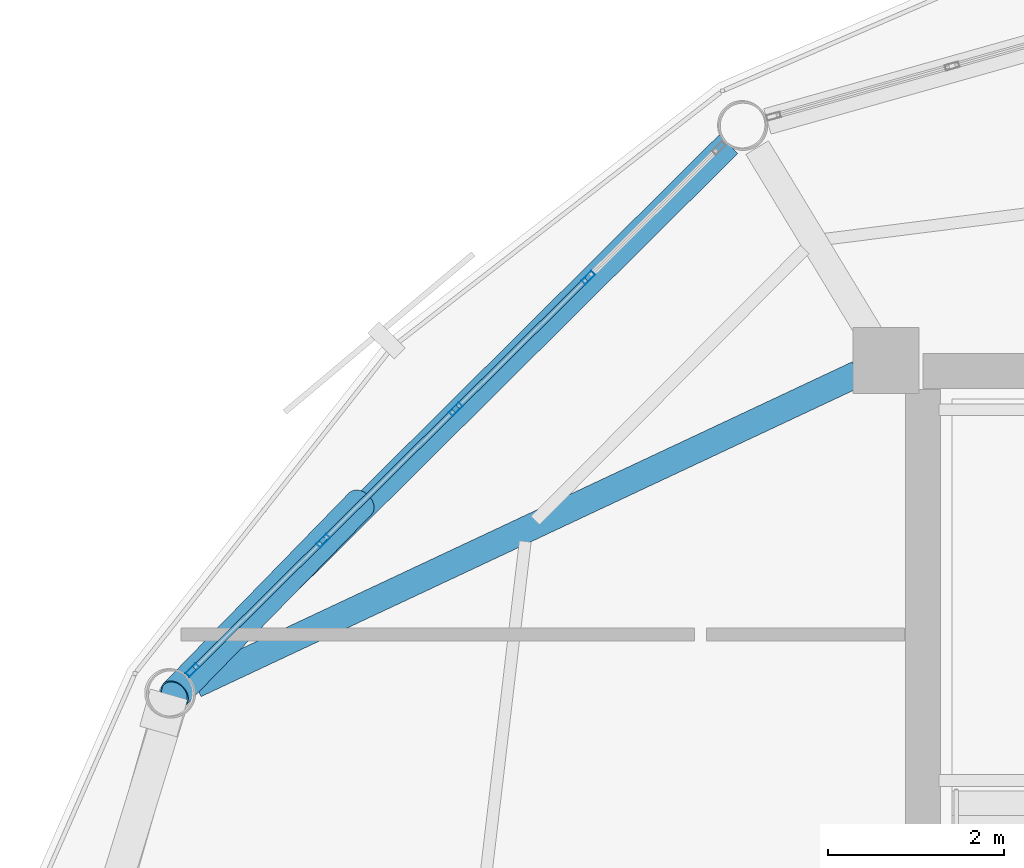
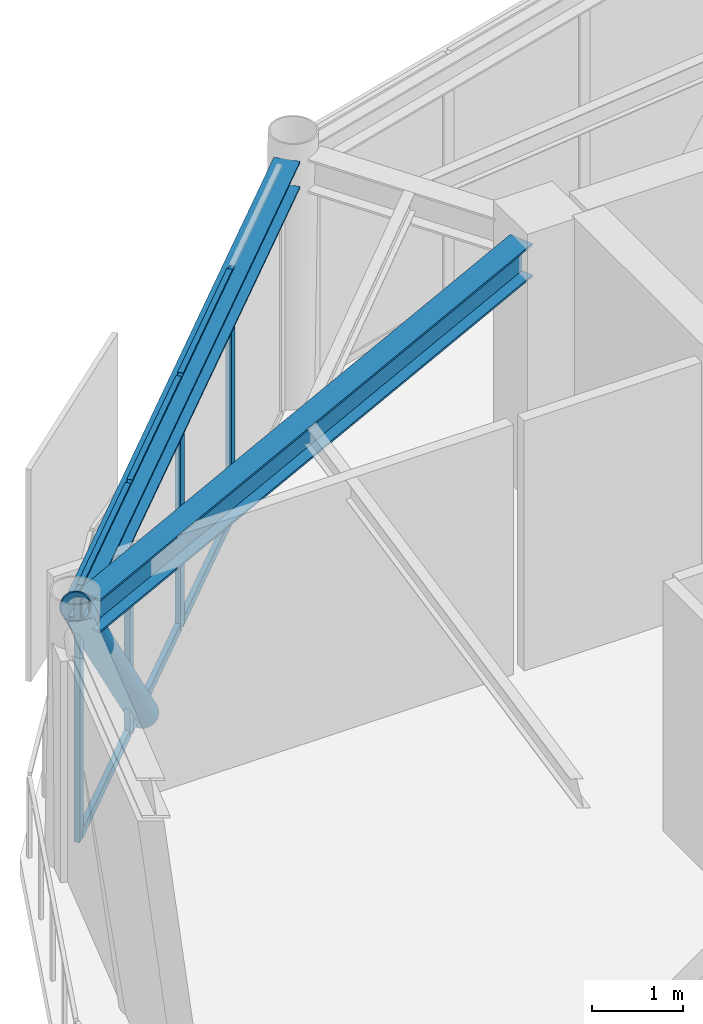
# One storey, part 11 of 25: 11 members, 2 beams, 1 element without a shape of its own.
"""IFC4 building model written with IfcOpenShell, lengths in metres."""

from ifc_helpers import new_model, si_unit, direction, frame, origin, origin_2d, place, context, subcontext, project, spatial, hollow_rectangle, hollow_circle, i_section, extrude, material, layer, layer_set, material_profile, profile_set, type_object, element, aggregate, save


model = new_model("IFC4")

# Units and contexts
model_context = context("Model", 3, precision=1e-05, world=origin(), true_north=direction((0.0, 1.0)))
body_context = subcontext(model_context, "Body", "Model", "MODEL_VIEW")
ifc_project = project(units=[si_unit("LENGTHUNIT", "METRE"), si_unit("AREAUNIT", "SQUARE_METRE"), si_unit("VOLUMEUNIT", "CUBIC_METRE"), si_unit("PLANEANGLEUNIT", "RADIAN"), si_unit("MASSUNIT", "GRAM", prefix="KILO")], contexts=[model_context])

# Site, building, storey
site_placement = place(None, origin())
site = spatial("IfcSite", under=ifc_project, at=site_placement, CompositionType="ELEMENT")
building_placement = place(site_placement, origin())
building = spatial("IfcBuilding", under=site, at=building_placement, Name="Varnakorn Sky Granary", CompositionType="ELEMENT")
storey_placement = place(building_placement, frame((0.0, 0.0, 277.800048828125)))
storey = spatial("IfcBuildingStorey", under=building, at=storey_placement, Name="L71", CompositionType="ELEMENT", Elevation=277.800048828125)

# Beams
ifc_material_1 = material(Name="Steel S355JR", Category="steel")
ifc_material_profile_1 = material_profile(ifc_material_1, i_section(OverallWidth=0.300048828125, OverallDepth=0.449951171875, WebThickness=0.013916015625, FlangeThickness=0.02587890625, at=origin_2d()), Name="HE 450 B")
ifc_profile_set_1 = profile_set([ifc_material_profile_1], Name="Steel S355JR")
beam_type_1 = type_object("IfcBeamType", Name="BM-RAD-Z5", PredefinedType="BEAM", material=ifc_profile_set_1)
beam_1_placement = place(storey_placement, frame((-2.741455078125, 12.468994140625, 3.135009765625), z_axis=(-0.905224751316, -0.424933111919, 0.0), x_axis=(0.424933111919, -0.905224751316, 0.0)))
element("IfcBeam", 1, at=beam_1_placement, inside=storey, type_object=beam_type_1, Name="Radial Floor Girder RG06 L71", PredefinedType="BEAM", context=body_context, shape_type="SweptSolid", body=[
    extrude(i_section(OverallWidth=0.300048828125, OverallDepth=0.449951171875, WebThickness=0.013916015625, FlangeThickness=0.02587890625, at=origin_2d()), origin(), (0.0, 0.0, 1.0), 8.330810546875),
])
ifc_material_profile_2 = material_profile(ifc_material_1, i_section(OverallWidth=0.300048828125, OverallDepth=0.360107421875, WebThickness=0.012451171875, FlangeThickness=0.0224609375, at=origin_2d()), Name="HE 360 B")
ifc_profile_set_2 = profile_set([ifc_material_profile_2], Name="Steel S355JR")
beam_type_2 = type_object("IfcBeamType", Name="BM-SPD-Z5", PredefinedType="SPANDREL", material=ifc_profile_set_2)
beam_2_placement = place(storey_placement, frame((-4.212646484375, 15.084228515625, 3.179931640625), z_axis=(-0.70945121475, -0.704754548683, 0.0), x_axis=(0.704754548683, -0.70945121475, 0.0)))
element("IfcBeam", 2, at=beam_2_placement, inside=storey, type_object=beam_type_2, Name="Perimeter Spandrel Ring Beam RB05 L71", PredefinedType="SPANDREL", context=body_context, shape_type="SweptSolid", body=[
    extrude(i_section(OverallWidth=0.300048828125, OverallDepth=0.360107421875, WebThickness=0.012451171875, FlangeThickness=0.0224609375, at=origin_2d()), origin(), (0.0, 0.0, 1.0), 8.62890625),
])

# Curtain wall, members
ifc_material_2 = material(Name="Anodised Bronze Aluminium Alloy 6063-T6", Category="aluminium")
ifc_layer = layer(ifc_material_2, 0.159912109375, Name="Anodised Bronze Aluminium Alloy 6063-T6")
ifc_layer_set = layer_set([ifc_layer], Name="Anodised Bronze Aluminium Alloy 6063-T6")
curtain_wall_type = type_object("IfcCurtainWallType", Name="CW-OFF-1", PredefinedType="USERDEFINED", material=ifc_layer_set)
curtain_wall_placement = place(storey_placement, origin())
curtain_wall = element("IfcCurtainWall", 3, at=curtain_wall_placement, inside=storey, type_object=curtain_wall_type, Name="Unitised Curtain Wall CW6 CW-L71-B05", ObjectType="CURTAIN WALL", PredefinedType="USERDEFINED")
ifc_material_profile_3 = material_profile(ifc_material_2, hollow_rectangle(XDim=0.06494140625, YDim=0.159912109375, WallThickness=0.00341796875, at=origin_2d()), Name="ALU MULL 65x160")
ifc_profile_set_3 = profile_set([ifc_material_profile_3], Name="Anodised Bronze Aluminium Alloy 6063-T6")
member_type_1 = type_object("IfcMemberType", Name="CW-OFF-1-MULL", PredefinedType="MULLION", material=ifc_profile_set_3)
member_1_placement = place(storey_placement, frame((-10.316650390625, 9.095458984375, 0.0), z_axis=(0.0, 0.0, 1.0), x_axis=(-0.704102293926, 0.71009855632, 0.0)))
member_1 = element("IfcMember", 4, at=member_1_placement, type_object=member_type_1, Name="CW6 mullion 1", PredefinedType="MULLION", context=body_context, shape_type="SweptSolid", body=[
    extrude(hollow_rectangle(XDim=0.06494140625, YDim=0.159912109375, WallThickness=0.00341796875, at=origin_2d()), origin(), (0.0, 0.0, 1.0), 3.35986328125),
])
member_2_placement = place(storey_placement, frame((-8.829833984375, 10.569580078125, 0.0), z_axis=(0.0, 0.0, 1.0), x_axis=(-0.704102293926, 0.71009855632, 0.0)))
member_2 = element("IfcMember", 5, at=member_2_placement, type_object=member_type_1, Name="CW6 mullion 2", PredefinedType="MULLION", context=body_context, shape_type="SweptSolid", body=[
    extrude(hollow_rectangle(XDim=0.06494140625, YDim=0.159912109375, WallThickness=0.00341796875, at=origin_2d()), origin(), (0.0, 0.0, 1.0), 3.35986328125),
])
member_3_placement = place(storey_placement, frame((-7.31982421875, 12.06689453125, 0.0), z_axis=(0.0, 0.0, 1.0), x_axis=(-0.704102293926, 0.71009855632, 0.0)))
member_3 = element("IfcMember", 6, at=member_3_placement, type_object=member_type_1, Name="CW6 mullion 3", PredefinedType="MULLION", context=body_context, shape_type="SweptSolid", body=[
    extrude(hollow_rectangle(XDim=0.06494140625, YDim=0.159912109375, WallThickness=0.00341796875, at=origin_2d()), origin(), (0.0, 0.0, 1.0), 3.35986328125),
])
member_4_placement = place(storey_placement, frame((-5.81005859375, 13.56396484375, 0.0), z_axis=(0.0, 0.0, 1.0), x_axis=(-0.704102293926, 0.71009855632, 0.0)))
member_4 = element("IfcMember", 7, at=member_4_placement, type_object=member_type_1, Name="CW6 mullion 4", PredefinedType="MULLION", context=body_context, shape_type="SweptSolid", body=[
    extrude(hollow_rectangle(XDim=0.06494140625, YDim=0.159912109375, WallThickness=0.00341796875, at=origin_2d()), origin(), (0.0, 0.0, 1.0), 3.35986328125),
])
ifc_material_profile_4 = material_profile(ifc_material_2, hollow_rectangle(XDim=0.06494140625, YDim=0.1201171875, WallThickness=0.00341796875, at=origin_2d()), Name="ALU TRAN 65x120")
ifc_profile_set_4 = profile_set([ifc_material_profile_4], Name="Anodised Bronze Aluminium Alloy 6063-T6")
member_type_2 = type_object("IfcMemberType", Name="CW-OFF-1-TRAN", PredefinedType="USERDEFINED", material=ifc_profile_set_4)
member_5_placement = place(storey_placement, frame((-10.29345703125, 9.1181640625, 0.032470703125), z_axis=(0.710048643289, 0.704152628457, 0.0), x_axis=(-0.704152628457, 0.710048643289, 0.0)))
member_5 = element("IfcMember", 8, at=member_5_placement, type_object=member_type_2, Name="CW6 transom 1.1", ObjectType="TRANSOM", PredefinedType="USERDEFINED", context=body_context, shape_type="SweptSolid", body=[
    extrude(hollow_rectangle(XDim=0.06494140625, YDim=0.1201171875, WallThickness=0.00341796875, at=origin_2d()), origin(), (0.0, 0.0, 1.0), 2.029052734375),
])
member_6_placement = place(storey_placement, frame((-10.29345703125, 9.1181640625, 3.327392578125), z_axis=(0.710048643289, 0.704152628457, 0.0), x_axis=(-0.704152628457, 0.710048643289, 0.0)))
member_6 = element("IfcMember", 9, at=member_6_placement, type_object=member_type_2, Name="CW6 transom 1.2", ObjectType="TRANSOM", PredefinedType="USERDEFINED", context=body_context, shape_type="SweptSolid", body=[
    extrude(hollow_rectangle(XDim=0.06494140625, YDim=0.1201171875, WallThickness=0.00341796875, at=origin_2d()), origin(), (0.0, 0.0, 1.0), 2.029052734375),
])
member_7_placement = place(storey_placement, frame((-8.806640625, 10.592529296875, 0.032470703125), z_axis=(0.710061639055, 0.704139523633, 0.0), x_axis=(-0.704139523633, 0.710061639055, 0.0)))
member_7 = element("IfcMember", 10, at=member_7_placement, type_object=member_type_2, Name="CW6 transom 2.1", ObjectType="TRANSOM", PredefinedType="USERDEFINED", context=body_context, shape_type="SweptSolid", body=[
    extrude(hollow_rectangle(XDim=0.06494140625, YDim=0.1201171875, WallThickness=0.00341796875, at=origin_2d()), origin(), (0.0, 0.0, 1.0), 2.061279296875),
])
member_8_placement = place(storey_placement, frame((-8.806640625, 10.592529296875, 3.327392578125), z_axis=(0.710061639055, 0.704139523633, 0.0), x_axis=(-0.704139523633, 0.710061639055, 0.0)))
member_8 = element("IfcMember", 11, at=member_8_placement, type_object=member_type_2, Name="CW6 transom 2.2", ObjectType="TRANSOM", PredefinedType="USERDEFINED", context=body_context, shape_type="SweptSolid", body=[
    extrude(hollow_rectangle(XDim=0.06494140625, YDim=0.1201171875, WallThickness=0.00341796875, at=origin_2d()), origin(), (0.0, 0.0, 1.0), 2.061279296875),
])
member_9_placement = place(storey_placement, frame((-7.296875, 12.089599609375, 0.032470703125), z_axis=(0.710120356821, 0.704080307088, 0.0), x_axis=(-0.704080307088, 0.710120356821, 0.0)))
member_9 = element("IfcMember", 12, at=member_9_placement, type_object=member_type_2, Name="CW6 transom 3.1", ObjectType="TRANSOM", PredefinedType="USERDEFINED", context=body_context, shape_type="SweptSolid", body=[
    extrude(hollow_rectangle(XDim=0.06494140625, YDim=0.1201171875, WallThickness=0.00341796875, at=origin_2d()), origin(), (0.0, 0.0, 1.0), 2.0615234375),
])
member_10_placement = place(storey_placement, frame((-7.296875, 12.089599609375, 3.327392578125), z_axis=(0.710120356821, 0.704080307088, 0.0), x_axis=(-0.704080307088, 0.710120356821, 0.0)))
member_10 = element("IfcMember", 13, at=member_10_placement, type_object=member_type_2, Name="CW6 transom 3.2", ObjectType="TRANSOM", PredefinedType="USERDEFINED", context=body_context, shape_type="SweptSolid", body=[
    extrude(hollow_rectangle(XDim=0.06494140625, YDim=0.1201171875, WallThickness=0.00341796875, at=origin_2d()), origin(), (0.0, 0.0, 1.0), 2.0615234375),
])
aggregate(curtain_wall, [member_1, member_2, member_3, member_4, member_5, member_6, member_7, member_8, member_9, member_10])

# Member
ifc_material_3 = material(Name="Steel S460M", Category="steel")
ifc_material_profile_5 = material_profile(ifc_material_3, hollow_circle(Radius=0.177734375, WallThickness=0.01416015625, at=origin_2d()), Name="CHS 355.6x14")
ifc_profile_set_5 = profile_set([ifc_material_profile_5], Name="Steel S460M")
member_type_3 = type_object("IfcMemberType", Name="MB-DIAG-T5", PredefinedType="BRACE", material=ifc_profile_set_5)
member_11_placement = place(storey_placement, frame((-8.406982421875, 10.989013671875, -0.130126953125), z_axis=(-0.457479005261, -0.469941783195, 0.754895807481), x_axis=(0.716544261542, -0.697541626895, 0.0)))
element("IfcMember", 14, at=member_11_placement, inside=storey, type_object=member_type_3, Name="Perimeter CHS Diagrid Brace DG05 L71", PredefinedType="BRACE", context=body_context, shape_type="SweptSolid", body=[
    extrude(hollow_circle(Radius=0.177734375, WallThickness=0.01416015625, at=origin_2d()), origin(), (0.0, 0.0, 1.0), 4.623046875),
])

save(model, "model.ifc")
